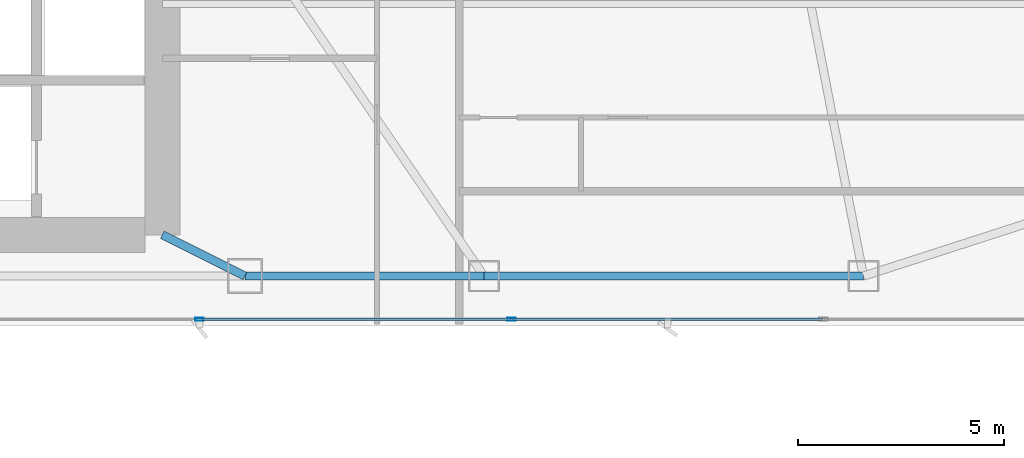
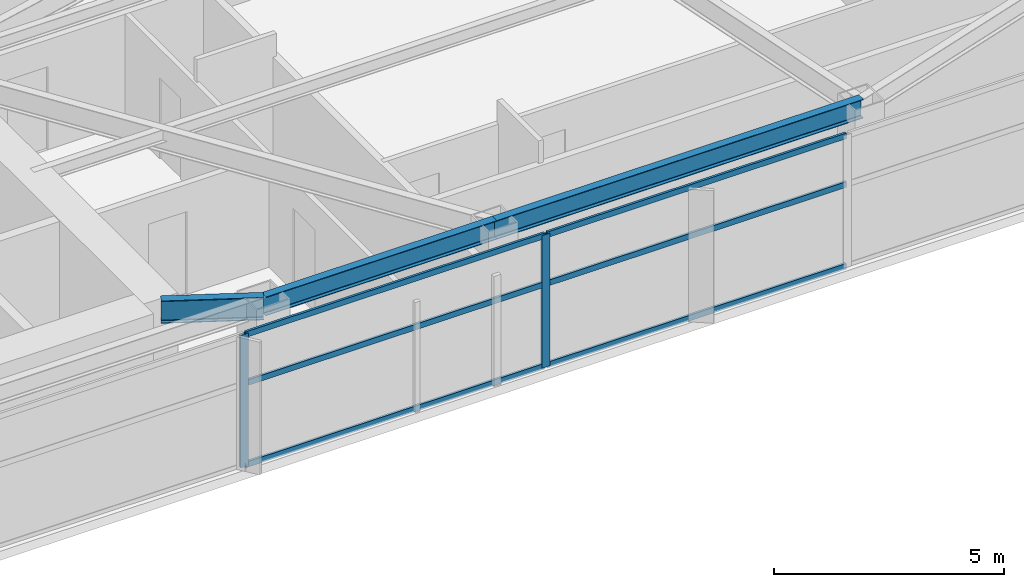
# One storey, part 12 of 28: 8 members, 3 beams, 1 element without a shape of its own.
"""IFC4 building model written with IfcOpenShell, lengths in metres."""

from ifc_helpers import new_model, si_unit, direction, frame, origin, origin_2d, place, context, subcontext, project, spatial, hollow_rectangle, i_section, extrude, material, layer, layer_set, material_profile, profile_set, type_object, element, aggregate, save


model = new_model("IFC4")

# Units and contexts
model_context = context("Model", 3, precision=1e-05, world=origin(), true_north=direction((0.0, 1.0)))
body_context = subcontext(model_context, "Body", "Model", "MODEL_VIEW")
ifc_project = project(units=[si_unit("LENGTHUNIT", "METRE"), si_unit("AREAUNIT", "SQUARE_METRE"), si_unit("VOLUMEUNIT", "CUBIC_METRE"), si_unit("PLANEANGLEUNIT", "RADIAN"), si_unit("MASSUNIT", "GRAM", prefix="KILO")], contexts=[model_context])

# Site, building, storey
site_placement = place(None, origin())
site = spatial("IfcSite", under=ifc_project, at=site_placement, CompositionType="ELEMENT")
building_placement = place(site_placement, origin())
building = spatial("IfcBuilding", under=site, at=building_placement, Name="Calvorn Quay Hotel", CompositionType="ELEMENT")
storey_placement = place(building_placement, frame((0.0, 0.0, 182.699951171875)))
storey = spatial("IfcBuildingStorey", under=building, at=storey_placement, Name="L45", CompositionType="ELEMENT", Elevation=182.699951171875)

# Beams
ifc_material_1 = material(Name="Steel Q355B", Category="steel")
ifc_material_profile_1 = material_profile(ifc_material_1, i_section(OverallWidth=0.199951171875, OverallDepth=0.60009765625, WebThickness=0.010986328125, FlangeThickness=0.01708984375, FilletRadius=0.01806640625, at=origin_2d()), Name="HN600x200x11x17")
ifc_profile_set_1 = profile_set([ifc_material_profile_1], Name="Steel Q355B")
beam_type_1 = type_object("IfcBeamType", Name="BM-GIRD-TYP", PredefinedType="BEAM", material=ifc_profile_set_1)
beam_1_placement = place(storey_placement, frame((34.39990234375, 3.60009765625, 3.219970703125), z_axis=(-0.894427191, 0.4472135955, 0.0), x_axis=(-0.4472135955, -0.894427191, 0.0)))
element("IfcBeam", 1, at=beam_1_placement, inside=storey, type_object=beam_type_1, Name="Beam BG-L45-S3", PredefinedType="BEAM", context=body_context, shape_type="SweptSolid", body=[
    extrude(i_section(OverallWidth=0.199951171875, OverallDepth=0.60009765625, WebThickness=0.010986328125, FlangeThickness=0.01708984375, FilletRadius=0.01806640625, at=origin_2d()), origin(), (0.0, 0.0, 1.0), 2.236083984375),
])
ifc_material_2 = material(Name="Steel Q355B", Category="steel")
ifc_material_profile_2 = material_profile(ifc_material_2, i_section(OverallWidth=0.199951171875, OverallDepth=0.5, WebThickness=0.010009765625, FlangeThickness=0.01611328125, FilletRadius=0.01611328125, at=origin_2d()), Name="HN500x200x10x16")
ifc_profile_set_2 = profile_set([ifc_material_profile_2], Name="Steel Q355B")
beam_type_2 = type_object("IfcBeamType", Name="BM-SPANDREL-Z1", PredefinedType="SPANDREL", material=ifc_profile_set_2)
beam_2_placement = place(storey_placement, frame((34.39990234375, 3.60009765625, 3.27001953125), z_axis=(1.0, 0.0, 0.0), x_axis=(0.0, 1.0, 0.0)))
element("IfcBeam", 2, at=beam_2_placement, inside=storey, type_object=beam_type_2, Name="Beam BSP-L45-S4", PredefinedType="SPANDREL", context=body_context, shape_type="SweptSolid", body=[
    extrude(i_section(OverallWidth=0.199951171875, OverallDepth=0.5, WebThickness=0.010009765625, FlangeThickness=0.01611328125, FilletRadius=0.01611328125, at=origin_2d()), origin(), (0.0, 0.0, 1.0), 5.800048828125),
])
beam_3_placement = place(storey_placement, frame((40.199951171875, 3.60009765625, 3.27001953125), z_axis=(1.0, 0.0, 0.0), x_axis=(0.0, 1.0, 0.0)))
element("IfcBeam", 3, at=beam_3_placement, inside=storey, type_object=beam_type_2, Name="Beam BSP-L45-S5", PredefinedType="SPANDREL", context=body_context, shape_type="SweptSolid", body=[
    extrude(i_section(OverallWidth=0.199951171875, OverallDepth=0.5, WebThickness=0.010009765625, FlangeThickness=0.01611328125, FilletRadius=0.01611328125, at=origin_2d()), origin(), (0.0, 0.0, 1.0), 9.199951171875),
])

# Curtain wall, members
ifc_material_3 = material(Name="Pale Anodised Aluminium and Low-E Glass", Category="aluminium")
ifc_layer = layer(ifc_material_3, 0.219970703125)
ifc_layer_set = layer_set([ifc_layer], Name="CW-SYS-Z2")
curtain_wall_type = type_object("IfcCurtainWallType", Name="CW-SYS-Z2", PredefinedType="NOTDEFINED", material=ifc_layer_set)
curtain_wall_placement = place(storey_placement, origin())
curtain_wall = element("IfcCurtainWall", 4, at=curtain_wall_placement, inside=storey, type_object=curtain_wall_type, Name="Tower South Waterfront Curtain Wall (L45)", PredefinedType="NOTDEFINED")
ifc_material_4 = material(Name="Pale Anodised Aluminium 6063-T6", Category="aluminium")
ifc_material_profile_3 = material_profile(ifc_material_4, hollow_rectangle(XDim=0.070068359375, YDim=0.199951171875, WallThickness=0.00390625, at=origin_2d()), Name="ALU-M200x70x4")
ifc_profile_set_3 = profile_set([ifc_material_profile_3], Name="Pale Anodised Aluminium 6063-T6")
member_type_1 = type_object("IfcMemberType", Name="CW-SYS-Z2-MUL", PredefinedType="MULLION", material=ifc_profile_set_3)
member_1_placement = place(storey_placement, frame((33.300048828125, 2.550048828125, 0.0), z_axis=(0.0, 0.0, 1.0), x_axis=(0.0, 1.0, 0.0)))
member_1 = element("IfcMember", 5, at=member_1_placement, type_object=member_type_1, Name="CW-L45-S mullion 4", PredefinedType="MULLION", context=body_context, shape_type="SweptSolid", body=[
    extrude(hollow_rectangle(XDim=0.070068359375, YDim=0.199951171875, WallThickness=0.00390625, at=origin_2d()), origin(), (0.0, 0.0, 1.0), 3.52001953125),
])
member_2_placement = place(storey_placement, frame((40.86669921875, 2.550048828125, 0.0), z_axis=(0.0, 0.0, 1.0), x_axis=(0.0, 1.0, 0.0)))
member_2 = element("IfcMember", 6, at=member_2_placement, type_object=member_type_1, Name="CW-L45-S mullion 5", PredefinedType="MULLION", context=body_context, shape_type="SweptSolid", body=[
    extrude(hollow_rectangle(XDim=0.070068359375, YDim=0.199951171875, WallThickness=0.00390625, at=origin_2d()), origin(), (0.0, 0.0, 1.0), 3.52001953125),
])
ifc_material_5 = material(Name="Pale Anodised Aluminium 6063-T6", Category="aluminium")
ifc_material_profile_4 = material_profile(ifc_material_5, hollow_rectangle(XDim=0.06005859375, YDim=0.14990234375, WallThickness=0.00341796875, at=origin_2d()), Name="ALU-T150x60x3.5")
ifc_profile_set_4 = profile_set([ifc_material_profile_4], Name="Pale Anodised Aluminium 6063-T6")
member_type_2 = type_object("IfcMemberType", Name="CW-SYS-Z2-TRN", PredefinedType="USERDEFINED", material=ifc_profile_set_4)
member_3_placement = place(storey_placement, frame((33.330078125, 2.550048828125, 0.030029296875), z_axis=(1.0, 0.0, 0.0), x_axis=(0.0, 1.0, 0.0)))
member_3 = element("IfcMember", 7, at=member_3_placement, type_object=member_type_2, Name="CW-L45-S transom 4.1", ObjectType="TRANSOM", PredefinedType="USERDEFINED", context=body_context, shape_type="SweptSolid", body=[
    extrude(hollow_rectangle(XDim=0.06005859375, YDim=0.14990234375, WallThickness=0.00341796875, at=origin_2d()), origin(), (0.0, 0.0, 1.0), 7.506591796875),
])
member_4_placement = place(storey_placement, frame((33.330078125, 2.550048828125, 2.199951171875), z_axis=(1.0, 0.0, 0.0), x_axis=(0.0, 1.0, 0.0)))
member_4 = element("IfcMember", 8, at=member_4_placement, type_object=member_type_2, Name="CW-L45-S transom 4.2", ObjectType="TRANSOM", PredefinedType="USERDEFINED", context=body_context, shape_type="SweptSolid", body=[
    extrude(hollow_rectangle(XDim=0.06005859375, YDim=0.14990234375, WallThickness=0.00341796875, at=origin_2d()), origin(), (0.0, 0.0, 1.0), 7.506591796875),
])
member_5_placement = place(storey_placement, frame((33.330078125, 2.550048828125, 3.489990234375), z_axis=(1.0, 0.0, 0.0), x_axis=(0.0, 1.0, 0.0)))
member_5 = element("IfcMember", 9, at=member_5_placement, type_object=member_type_2, Name="CW-L45-S transom 4.3", ObjectType="TRANSOM", PredefinedType="USERDEFINED", context=body_context, shape_type="SweptSolid", body=[
    extrude(hollow_rectangle(XDim=0.06005859375, YDim=0.14990234375, WallThickness=0.00341796875, at=origin_2d()), origin(), (0.0, 0.0, 1.0), 7.506591796875),
])
member_6_placement = place(storey_placement, frame((40.896728515625, 2.550048828125, 0.030029296875), z_axis=(1.0, 0.0, 0.0), x_axis=(0.0, 1.0, 0.0)))
member_6 = element("IfcMember", 10, at=member_6_placement, type_object=member_type_2, Name="CW-L45-S transom 5.1", ObjectType="TRANSOM", PredefinedType="USERDEFINED", context=body_context, shape_type="SweptSolid", body=[
    extrude(hollow_rectangle(XDim=0.06005859375, YDim=0.14990234375, WallThickness=0.00341796875, at=origin_2d()), origin(), (0.0, 0.0, 1.0), 7.506591796875),
])
member_7_placement = place(storey_placement, frame((40.896728515625, 2.550048828125, 2.199951171875), z_axis=(1.0, 0.0, 0.0), x_axis=(0.0, 1.0, 0.0)))
member_7 = element("IfcMember", 11, at=member_7_placement, type_object=member_type_2, Name="CW-L45-S transom 5.2", ObjectType="TRANSOM", PredefinedType="USERDEFINED", context=body_context, shape_type="SweptSolid", body=[
    extrude(hollow_rectangle(XDim=0.06005859375, YDim=0.14990234375, WallThickness=0.00341796875, at=origin_2d()), origin(), (0.0, 0.0, 1.0), 7.506591796875),
])
member_8_placement = place(storey_placement, frame((40.896728515625, 2.550048828125, 3.489990234375), z_axis=(1.0, 0.0, 0.0), x_axis=(0.0, 1.0, 0.0)))
member_8 = element("IfcMember", 12, at=member_8_placement, type_object=member_type_2, Name="CW-L45-S transom 5.3", ObjectType="TRANSOM", PredefinedType="USERDEFINED", context=body_context, shape_type="SweptSolid", body=[
    extrude(hollow_rectangle(XDim=0.06005859375, YDim=0.14990234375, WallThickness=0.00341796875, at=origin_2d()), origin(), (0.0, 0.0, 1.0), 7.506591796875),
])
aggregate(curtain_wall, [member_1, member_2, member_3, member_4, member_5, member_6, member_7, member_8])

save(model, "model.ifc")
